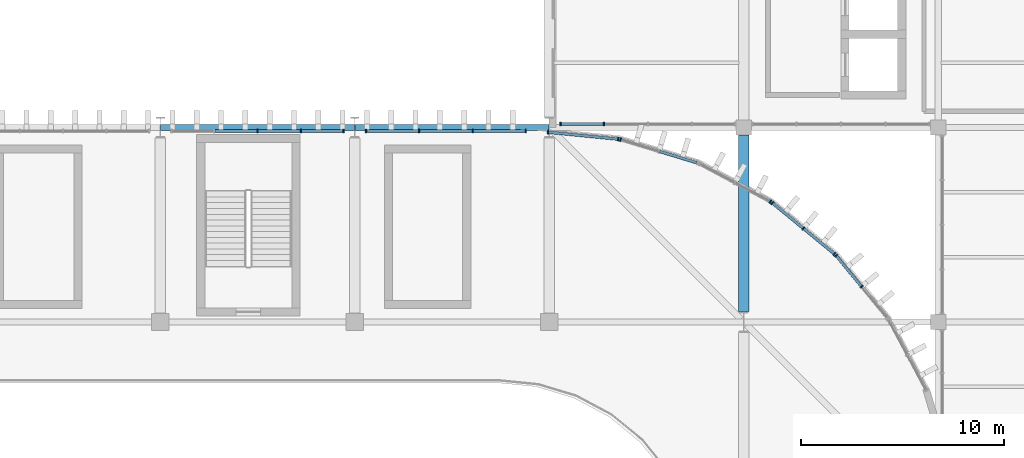
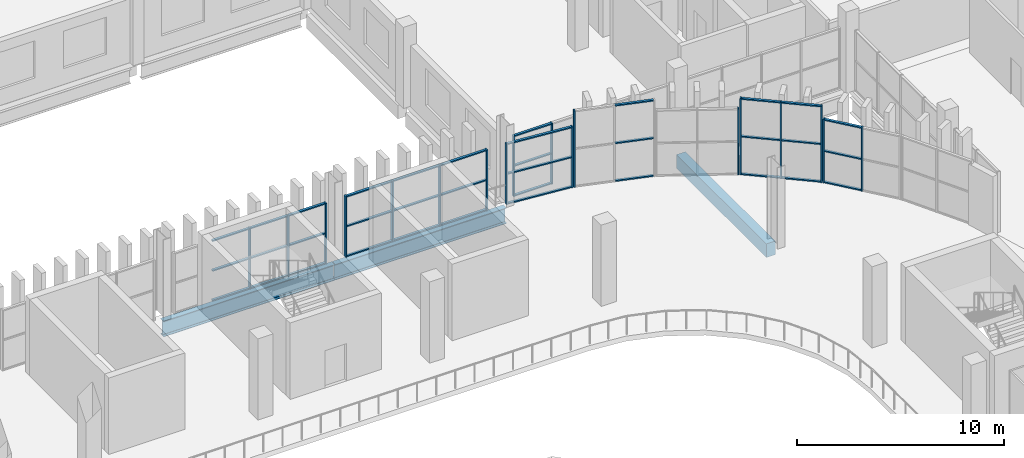
# One storey, part 44 of 99: 54 members, 3 beams, 8 elements without a shape of their own.
"""IFC4 building model written with IfcOpenShell, lengths in metres."""

from ifc_helpers import new_model, si_unit, direction, frame, origin, origin_2d, place, context, subcontext, project, spatial, rectangle, i_section, extrude, material, layer, layer_set, material_profile, profile_set, type_object, element, aggregate, save


model = new_model("IFC4")

# Units and contexts
model_context = context("Model", 3, precision=1e-05, world=origin(), true_north=direction((0.0, 1.0)))
body_context = subcontext(model_context, "Body", "Model", "MODEL_VIEW")
ifc_project = project(units=[si_unit("LENGTHUNIT", "METRE"), si_unit("AREAUNIT", "SQUARE_METRE"), si_unit("VOLUMEUNIT", "CUBIC_METRE"), si_unit("PLANEANGLEUNIT", "RADIAN"), si_unit("MASSUNIT", "GRAM", prefix="KILO")], contexts=[model_context])

# Site, building, storey
site_placement = place(None, origin())
site = spatial("IfcSite", under=ifc_project, at=site_placement, CompositionType="ELEMENT")
building_placement = place(site_placement, origin())
building = spatial("IfcBuilding", under=site, at=building_placement, Name="Caelomonte Colonnade Arena", CompositionType="ELEMENT")
storey_placement = place(building_placement, frame((0.0, 0.0, 4.800048828125)))
storey = spatial("IfcBuildingStorey", under=building, at=storey_placement, Name="L01", CompositionType="ELEMENT", Elevation=4.800048828125)

# Curtain wall, members
ifc_material_1 = material(Name="Bronze anodised aluminium and low-E glazing", Category="aluminium")
ifc_layer_1 = layer(ifc_material_1, 0.179931640625)
ifc_layer_set_1 = layer_set([ifc_layer_1], Name="Bronze anodised aluminium and low-E glazing")
curtain_wall_type_1 = type_object("IfcCurtainWallType", Name="ENV-CW-CW-L01-92-36", PredefinedType="USERDEFINED", material=ifc_layer_set_1)
curtain_wall_1_placement = place(storey_placement, origin())
curtain_wall_1 = element("IfcCurtainWall", 1, at=curtain_wall_1_placement, inside=storey, type_object=curtain_wall_type_1, Name="L01 unitized curtain wall CW-L01-1486-1154", ObjectType="UNITIZED CURTAIN WALL", PredefinedType="USERDEFINED")
ifc_material_2 = material(Name="Bronze anodised aluminium AA6063-T6", Category="aluminium")
ifc_material_profile_1 = material_profile(ifc_material_2, rectangle(XDim=0.070068359375, YDim=0.179931640625, at=origin_2d()), Name="CWM-70X180")
ifc_profile_set_1 = profile_set([ifc_material_profile_1], Name="Bronze anodised aluminium AA6063-T6")
member_type_1 = type_object("IfcMemberType", Name="ENV-CW-MULL1", PredefinedType="MULLION", material=ifc_profile_set_1)
member_1_placement = place(storey_placement, frame((144.560546875, 115.3798828125, 0.0), z_axis=(0.0, 0.0, 1.0), x_axis=(1.0, 0.0, 0.0)))
member_1 = element("IfcMember", 2, at=member_1_placement, type_object=member_type_1, Name="CW-L01-92-36 mullion 1", PredefinedType="MULLION", context=body_context, shape_type="SweptSolid", body=[
    extrude(rectangle(XDim=0.070068359375, YDim=0.179931640625, at=origin_2d()), origin(), (0.0, 0.0, 1.0), 3.593017578125),
])
member_2_placement = place(storey_placement, frame((146.6953125, 115.3798828125, 0.0), z_axis=(0.0, 0.0, 1.0), x_axis=(1.0, 0.0, 0.0)))
member_2 = element("IfcMember", 3, at=member_2_placement, type_object=member_type_1, Name="CW-L01-92-36 mullion 2", PredefinedType="MULLION", context=body_context, shape_type="SweptSolid", body=[
    extrude(rectangle(XDim=0.070068359375, YDim=0.179931640625, at=origin_2d()), origin(), (0.0, 0.0, 1.0), 3.593017578125),
])

ifc_layer_2 = layer(ifc_material_1, 0.179931640625)
ifc_layer_set_2 = layer_set([ifc_layer_2], Name="Bronze anodised aluminium and low-E glazing")
curtain_wall_type_2 = type_object("IfcCurtainWallType", Name="ENV-CW-CW-L01-44-38", PredefinedType="USERDEFINED", material=ifc_layer_set_2)
curtain_wall_2_placement = place(storey_placement, origin())
curtain_wall_2 = element("IfcCurtainWall", 4, at=curtain_wall_2_placement, inside=storey, type_object=curtain_wall_type_2, Name="L01 unitized curtain wall CW-L01-1594-1073", ObjectType="UNITIZED CURTAIN WALL", PredefinedType="USERDEFINED")
member_3_placement = place(storey_placement, frame((159.416015625, 107.343994140625, 0.0), z_axis=(0.0, 0.0, 1.0), x_axis=(-0.634416071163, 0.772991751994, 0.0)))
member_3 = element("IfcMember", 5, at=member_3_placement, type_object=member_type_1, Name="CW-L01-44-38 mullion 2", PredefinedType="MULLION", context=body_context, shape_type="SweptSolid", body=[
    extrude(rectangle(XDim=0.070068359375, YDim=0.179931640625, at=origin_2d()), origin(), (0.0, 0.0, 1.0), 3.758056640625),
])
member_4_placement = place(storey_placement, frame((158.15771484375, 108.876953125, 0.0), z_axis=(0.0, 0.0, 1.0), x_axis=(-0.634416071163, 0.772991751994, 0.0)))
member_4 = element("IfcMember", 6, at=member_4_placement, type_object=member_type_1, Name="CW-L01-44-38 mullion 3", PredefinedType="MULLION", context=body_context, shape_type="SweptSolid", body=[
    extrude(rectangle(XDim=0.070068359375, YDim=0.179931640625, at=origin_2d()), origin(), (0.0, 0.0, 1.0), 3.758056640625),
])

ifc_layer_3 = layer(ifc_material_1, 0.179931640625)
ifc_layer_set_3 = layer_set([ifc_layer_3], Name="Bronze anodised aluminium and low-E glazing")
curtain_wall_type_3 = type_object("IfcCurtainWallType", Name="ENV-CW-CW-L01-44-45", PredefinedType="USERDEFINED", material=ifc_layer_set_3)
curtain_wall_3_placement = place(storey_placement, origin())
curtain_wall_3 = element("IfcCurtainWall", 7, at=curtain_wall_3_placement, inside=storey, type_object=curtain_wall_type_3, Name="L01 unitized curtain wall CW-L01-1565-1102", ObjectType="UNITIZED CURTAIN WALL", PredefinedType="USERDEFINED")
member_5_placement = place(storey_placement, frame((158.0771484375, 108.95751953125, 0.0), z_axis=(0.0, 0.0, 1.0), x_axis=(-0.772991751994, 0.634416071163, 0.0)))
member_5 = element("IfcMember", 8, at=member_5_placement, type_object=member_type_1, Name="CW-L01-44-45 mullion 1", PredefinedType="MULLION", context=body_context, shape_type="SweptSolid", body=[
    extrude(rectangle(XDim=0.070068359375, YDim=0.179931640625, at=origin_2d()), origin(), (0.0, 0.0, 1.0), 4.52001953125),
])
member_6_placement = place(storey_placement, frame((156.5439453125, 110.2158203125, 0.0), z_axis=(0.0, 0.0, 1.0), x_axis=(-0.772991751994, 0.634416071163, 0.0)))
member_6 = element("IfcMember", 9, at=member_6_placement, type_object=member_type_1, Name="CW-L01-44-45 mullion 2", PredefinedType="MULLION", context=body_context, shape_type="SweptSolid", body=[
    extrude(rectangle(XDim=0.070068359375, YDim=0.179931640625, at=origin_2d()), origin(), (0.0, 0.0, 1.0), 4.52001953125),
])
member_7_placement = place(storey_placement, frame((155.0107421875, 111.47412109375, 0.0), z_axis=(0.0, 0.0, 1.0), x_axis=(-0.772991751994, 0.634416071163, 0.0)))
member_7 = element("IfcMember", 10, at=member_7_placement, type_object=member_type_1, Name="CW-L01-44-45 mullion 3", PredefinedType="MULLION", context=body_context, shape_type="SweptSolid", body=[
    extrude(rectangle(XDim=0.070068359375, YDim=0.179931640625, at=origin_2d()), origin(), (0.0, 0.0, 1.0), 4.52001953125),
])

# Curtain wall, member
ifc_layer_4 = layer(ifc_material_1, 0.179931640625)
ifc_layer_set_4 = layer_set([ifc_layer_4], Name="Bronze anodised aluminium and low-E glazing")
curtain_wall_type_4 = type_object("IfcCurtainWallType", Name="ENV-CW-CW-L01-44-39", PredefinedType="USERDEFINED", material=ifc_layer_set_4)
curtain_wall_4_placement = place(storey_placement, origin())
curtain_wall_4 = element("IfcCurtainWall", 11, at=curtain_wall_4_placement, inside=storey, type_object=curtain_wall_type_4, Name="L01 unitized curtain wall CW-L01-1532-1125", ObjectType="UNITIZED CURTAIN WALL", PredefinedType="USERDEFINED")
member_8_placement = place(storey_placement, frame((154.916015625, 111.53759765625, 0.0), z_axis=(0.0, 0.0, 1.0), x_axis=(-0.881922613642, 0.471394212466, 0.0)))
member_8 = element("IfcMember", 12, at=member_8_placement, type_object=member_type_1, Name="CW-L01-44-39 mullion 1", PredefinedType="MULLION", context=body_context, shape_type="SweptSolid", body=[
    extrude(rectangle(XDim=0.070068359375, YDim=0.179931640625, at=origin_2d()), origin(), (0.0, 0.0, 1.0), 3.912841796875),
])
aggregate(curtain_wall_4, [member_8])

curtain_wall_5_placement = place(storey_placement, origin())
curtain_wall_5 = element("IfcCurtainWall", 13, at=curtain_wall_5_placement, inside=storey, type_object=curtain_wall_type_3, Name="L01 unitized curtain wall CW-L01-1494-1140", ObjectType="UNITIZED CURTAIN WALL", PredefinedType="USERDEFINED")
member_9_placement = place(storey_placement, frame((147.516357421875, 114.6025390625, 0.0), z_axis=(0.0, 0.0, 1.0), x_axis=(-0.956949160999, 0.290255582655, 0.0)))
member_9 = element("IfcMember", 14, at=member_9_placement, type_object=member_type_1, Name="CW-L01-44-45 mullion 3", PredefinedType="MULLION", context=body_context, shape_type="SweptSolid", body=[
    extrude(rectangle(XDim=0.070068359375, YDim=0.179931640625, at=origin_2d()), origin(), (0.0, 0.0, 1.0), 4.52001953125),
])

# Curtain wall, members
ifc_layer_5 = layer(ifc_material_1, 0.179931640625)
ifc_layer_set_5 = layer_set([ifc_layer_5], Name="Bronze anodised aluminium and low-E glazing")
curtain_wall_type_5 = type_object("IfcCurtainWallType", Name="ENV-CW-CW-L01-42-36", PredefinedType="USERDEFINED", material=ifc_layer_set_5)
curtain_wall_6_placement = place(storey_placement, origin())
curtain_wall_6 = element("IfcCurtainWall", 15, at=curtain_wall_6_placement, inside=storey, type_object=curtain_wall_type_5, Name="L01 unitized curtain wall CW-L01-1455-1148", ObjectType="UNITIZED CURTAIN WALL", PredefinedType="USERDEFINED")
member_10_placement = place(storey_placement, frame((147.404541015625, 114.624755859375, 0.0), z_axis=(0.0, 0.0, 1.0), x_axis=(-0.995184134744, 0.098023150088, 0.0)))
member_10 = element("IfcMember", 16, at=member_10_placement, type_object=member_type_1, Name="CW-L01-42-36 mullion 1", PredefinedType="MULLION", context=body_context, shape_type="SweptSolid", body=[
    extrude(rectangle(XDim=0.070068359375, YDim=0.179931640625, at=origin_2d()), origin(), (0.0, 0.0, 1.0), 3.593017578125),
])
member_11_placement = place(storey_placement, frame((143.940185546875, 114.966064453125, 0.0), z_axis=(0.0, 0.0, 1.0), x_axis=(-0.995184134744, 0.098023150088, 0.0)))
member_11 = element("IfcMember", 17, at=member_11_placement, type_object=member_type_1, Name="CW-L01-42-36 mullion 2", PredefinedType="MULLION", context=body_context, shape_type="SweptSolid", body=[
    extrude(rectangle(XDim=0.070068359375, YDim=0.179931640625, at=origin_2d()), origin(), (0.0, 0.0, 1.0), 3.593017578125),
])

ifc_layer_6 = layer(ifc_material_1, 0.179931640625)
ifc_layer_set_6 = layer_set([ifc_layer_6], Name="Bronze anodised aluminium and low-E glazing")
curtain_wall_type_6 = type_object("IfcCurtainWallType", Name="ENV-CW-CW-L01-90-36", PredefinedType="USERDEFINED", material=ifc_layer_set_6)
curtain_wall_7_placement = place(storey_placement, origin())
curtain_wall_7 = element("IfcCurtainWall", 18, at=curtain_wall_7_placement, inside=storey, type_object=curtain_wall_type_6, Name="L01 unitized curtain wall CW-L01-1389-1150", ObjectType="UNITIZED CURTAIN WALL", PredefinedType="USERDEFINED")
member_12_placement = place(storey_placement, frame((142.839599609375, 115.02001953125, 0.0), z_axis=(0.0, 0.0, 1.0), x_axis=(-1.0, 0.0, 0.0)))
member_12 = element("IfcMember", 19, at=member_12_placement, type_object=member_type_1, Name="CW-L01-90-36 mullion 1", PredefinedType="MULLION", context=body_context, shape_type="SweptSolid", body=[
    extrude(rectangle(XDim=0.070068359375, YDim=0.179931640625, at=origin_2d()), origin(), (0.0, 0.0, 1.0), 3.593017578125),
])
member_13_placement = place(storey_placement, frame((140.224853515625, 115.02001953125, 0.0), z_axis=(0.0, 0.0, 1.0), x_axis=(-1.0, 0.0, 0.0)))
member_13 = element("IfcMember", 20, at=member_13_placement, type_object=member_type_1, Name="CW-L01-90-36 mullion 2", PredefinedType="MULLION", context=body_context, shape_type="SweptSolid", body=[
    extrude(rectangle(XDim=0.070068359375, YDim=0.179931640625, at=origin_2d()), origin(), (0.0, 0.0, 1.0), 3.593017578125),
])
member_14_placement = place(storey_placement, frame((137.5751953125, 115.02001953125, 0.0), z_axis=(0.0, 0.0, 1.0), x_axis=(-1.0, 0.0, 0.0)))
member_14 = element("IfcMember", 21, at=member_14_placement, type_object=member_type_1, Name="CW-L01-90-36 mullion 3", PredefinedType="MULLION", context=body_context, shape_type="SweptSolid", body=[
    extrude(rectangle(XDim=0.070068359375, YDim=0.179931640625, at=origin_2d()), origin(), (0.0, 0.0, 1.0), 3.593017578125),
])
member_15_placement = place(storey_placement, frame((134.96044921875, 115.02001953125, 0.0), z_axis=(0.0, 0.0, 1.0), x_axis=(-1.0, 0.0, 0.0)))
member_15 = element("IfcMember", 22, at=member_15_placement, type_object=member_type_1, Name="CW-L01-90-36 mullion 4", PredefinedType="MULLION", context=body_context, shape_type="SweptSolid", body=[
    extrude(rectangle(XDim=0.070068359375, YDim=0.179931640625, at=origin_2d()), origin(), (0.0, 0.0, 1.0), 3.593017578125),
])

ifc_layer_7 = layer(ifc_material_1, 0.179931640625)
ifc_layer_set_7 = layer_set([ifc_layer_7], Name="Bronze anodised aluminium and low-E glazing")
curtain_wall_type_7 = type_object("IfcCurtainWallType", Name="ENV-CW-CW-L01-96-36", PredefinedType="USERDEFINED", material=ifc_layer_set_7)
curtain_wall_8_placement = place(storey_placement, origin())
curtain_wall_8 = element("IfcCurtainWall", 23, at=curtain_wall_8_placement, inside=storey, type_object=curtain_wall_type_7, Name="L01 unitized curtain wall CW-L01-1296-1150", ObjectType="UNITIZED CURTAIN WALL", PredefinedType="USERDEFINED")
member_16_placement = place(storey_placement, frame((133.839599609375, 115.02001953125, 0.0), z_axis=(0.0, 0.0, 1.0), x_axis=(-1.0, 0.0, 0.0)))
member_16 = element("IfcMember", 24, at=member_16_placement, type_object=member_type_1, Name="CW-L01-96-36 mullion 1", PredefinedType="MULLION", context=body_context, shape_type="SweptSolid", body=[
    extrude(rectangle(XDim=0.070068359375, YDim=0.179931640625, at=origin_2d()), origin(), (0.0, 0.0, 1.0), 3.593017578125),
])
member_17_placement = place(storey_placement, frame((131.7373046875, 115.02001953125, 0.0), z_axis=(0.0, 0.0, 1.0), x_axis=(-1.0, 0.0, 0.0)))
member_17 = element("IfcMember", 25, at=member_17_placement, type_object=member_type_1, Name="CW-L01-96-36 mullion 2", PredefinedType="MULLION", context=body_context, shape_type="SweptSolid", body=[
    extrude(rectangle(XDim=0.070068359375, YDim=0.179931640625, at=origin_2d()), origin(), (0.0, 0.0, 1.0), 3.593017578125),
])
member_18_placement = place(storey_placement, frame((129.60009765625, 115.02001953125, 0.0), z_axis=(0.0, 0.0, 1.0), x_axis=(-1.0, 0.0, 0.0)))
member_18 = element("IfcMember", 26, at=member_18_placement, type_object=member_type_1, Name="CW-L01-96-36 mullion 3", PredefinedType="MULLION", context=body_context, shape_type="SweptSolid", body=[
    extrude(rectangle(XDim=0.070068359375, YDim=0.179931640625, at=origin_2d()), origin(), (0.0, 0.0, 1.0), 3.593017578125),
])

# Member
ifc_material_profile_2 = material_profile(ifc_material_2, rectangle(XDim=0.070068359375, YDim=0.139892578125, at=origin_2d()), Name="CWT-70X140")
ifc_profile_set_2 = profile_set([ifc_material_profile_2], Name="Bronze anodised aluminium AA6063-T6")
member_type_2 = type_object("IfcMemberType", Name="ENV-CW-TRAN1", PredefinedType="USERDEFINED", material=ifc_profile_set_2)
member_19_placement = place(storey_placement, frame((144.595458984375, 115.3798828125, 0.034912109375), z_axis=(1.0, 0.0, 0.0), x_axis=(0.0, 0.0, 1.0)))
member_19 = element("IfcMember", 27, at=member_19_placement, type_object=member_type_2, Name="CW-L01-92-36 transom 1.1", ObjectType="TRANSOM", PredefinedType="USERDEFINED", context=body_context, shape_type="SweptSolid", body=[
    extrude(rectangle(XDim=0.070068359375, YDim=0.139892578125, at=origin_2d()), origin(), (0.0, 0.0, 1.0), 2.06494140625),
])

member_20_placement = place(storey_placement, frame((144.595458984375, 115.3798828125, 1.79638671875), z_axis=(1.0, 0.0, 0.0), x_axis=(0.0, 0.0, 1.0)))
member_20 = element("IfcMember", 28, at=member_20_placement, type_object=member_type_2, Name="CW-L01-92-36 transom 1.2", ObjectType="TRANSOM", PredefinedType="USERDEFINED", context=body_context, shape_type="SweptSolid", body=[
    extrude(rectangle(XDim=0.070068359375, YDim=0.139892578125, at=origin_2d()), origin(), (0.0, 0.0, 1.0), 2.06494140625),
])

member_21_placement = place(storey_placement, frame((144.595458984375, 115.3798828125, 3.557861328125), z_axis=(1.0, 0.0, 0.0), x_axis=(0.0, 0.0, 1.0)))
member_21 = element("IfcMember", 29, at=member_21_placement, type_object=member_type_2, Name="CW-L01-92-36 transom 1.3", ObjectType="TRANSOM", PredefinedType="USERDEFINED", context=body_context, shape_type="SweptSolid", body=[
    extrude(rectangle(XDim=0.070068359375, YDim=0.139892578125, at=origin_2d()), origin(), (0.0, 0.0, 1.0), 2.06494140625),
])

aggregate(curtain_wall_1, [member_1, member_2, member_19, member_20, member_21])

member_22_placement = place(storey_placement, frame((159.393798828125, 107.370849609375, 0.034912109375), z_axis=(-0.634431948726, 0.772978720558, 0.0), x_axis=(0.0, 0.0, 1.0)))
member_22 = element("IfcMember", 30, at=member_22_placement, type_object=member_type_2, Name="CW-L01-44-38 transom 2.1", ObjectType="TRANSOM", PredefinedType="USERDEFINED", context=body_context, shape_type="SweptSolid", body=[
    extrude(rectangle(XDim=0.070068359375, YDim=0.139892578125, at=origin_2d()), origin(), (0.0, 0.0, 1.0), 1.913818359375),
])

member_23_placement = place(storey_placement, frame((159.393798828125, 107.370849609375, 1.87890625), z_axis=(-0.634431948726, 0.772978720558, 0.0), x_axis=(0.0, 0.0, 1.0)))
member_23 = element("IfcMember", 31, at=member_23_placement, type_object=member_type_2, Name="CW-L01-44-38 transom 2.2", ObjectType="TRANSOM", PredefinedType="USERDEFINED", context=body_context, shape_type="SweptSolid", body=[
    extrude(rectangle(XDim=0.070068359375, YDim=0.139892578125, at=origin_2d()), origin(), (0.0, 0.0, 1.0), 1.913818359375),
])

member_24_placement = place(storey_placement, frame((159.393798828125, 107.370849609375, 3.722900390625), z_axis=(-0.634431948726, 0.772978720558, 0.0), x_axis=(0.0, 0.0, 1.0)))
member_24 = element("IfcMember", 32, at=member_24_placement, type_object=member_type_2, Name="CW-L01-44-38 transom 2.3", ObjectType="TRANSOM", PredefinedType="USERDEFINED", context=body_context, shape_type="SweptSolid", body=[
    extrude(rectangle(XDim=0.070068359375, YDim=0.139892578125, at=origin_2d()), origin(), (0.0, 0.0, 1.0), 1.913818359375),
])

aggregate(curtain_wall_2, [member_3, member_4, member_22, member_23, member_24])

member_25_placement = place(storey_placement, frame((158.050048828125, 108.979736328125, 0.034912109375), z_axis=(-0.772989936128, 0.634418283662, 0.0), x_axis=(0.0, 0.0, 1.0)))
member_25 = element("IfcMember", 33, at=member_25_placement, type_object=member_type_2, Name="CW-L01-44-45 transom 1.1", ObjectType="TRANSOM", PredefinedType="USERDEFINED", context=body_context, shape_type="SweptSolid", body=[
    extrude(rectangle(XDim=0.070068359375, YDim=0.139892578125, at=origin_2d()), origin(), (0.0, 0.0, 1.0), 1.913330078125),
])

member_26_placement = place(storey_placement, frame((158.050048828125, 108.979736328125, 2.260009765625), z_axis=(-0.772989936128, 0.634418283662, 0.0), x_axis=(0.0, 0.0, 1.0)))
member_26 = element("IfcMember", 34, at=member_26_placement, type_object=member_type_2, Name="CW-L01-44-45 transom 1.2", ObjectType="TRANSOM", PredefinedType="USERDEFINED", context=body_context, shape_type="SweptSolid", body=[
    extrude(rectangle(XDim=0.070068359375, YDim=0.139892578125, at=origin_2d()), origin(), (0.0, 0.0, 1.0), 1.913330078125),
])

member_27_placement = place(storey_placement, frame((158.050048828125, 108.979736328125, 4.48486328125), z_axis=(-0.772989936128, 0.634418283662, 0.0), x_axis=(0.0, 0.0, 1.0)))
member_27 = element("IfcMember", 35, at=member_27_placement, type_object=member_type_2, Name="CW-L01-44-45 transom 1.3", ObjectType="TRANSOM", PredefinedType="USERDEFINED", context=body_context, shape_type="SweptSolid", body=[
    extrude(rectangle(XDim=0.070068359375, YDim=0.139892578125, at=origin_2d()), origin(), (0.0, 0.0, 1.0), 1.913330078125),
])

member_28_placement = place(storey_placement, frame((156.516845703125, 110.238037109375, 0.034912109375), z_axis=(-0.772989936128, 0.634418283662, 0.0), x_axis=(0.0, 0.0, 1.0)))
member_28 = element("IfcMember", 36, at=member_28_placement, type_object=member_type_2, Name="CW-L01-44-45 transom 2.1", ObjectType="TRANSOM", PredefinedType="USERDEFINED", context=body_context, shape_type="SweptSolid", body=[
    extrude(rectangle(XDim=0.070068359375, YDim=0.139892578125, at=origin_2d()), origin(), (0.0, 0.0, 1.0), 1.913330078125),
])

member_29_placement = place(storey_placement, frame((156.516845703125, 110.238037109375, 2.260009765625), z_axis=(-0.772989936128, 0.634418283662, 0.0), x_axis=(0.0, 0.0, 1.0)))
member_29 = element("IfcMember", 37, at=member_29_placement, type_object=member_type_2, Name="CW-L01-44-45 transom 2.2", ObjectType="TRANSOM", PredefinedType="USERDEFINED", context=body_context, shape_type="SweptSolid", body=[
    extrude(rectangle(XDim=0.070068359375, YDim=0.139892578125, at=origin_2d()), origin(), (0.0, 0.0, 1.0), 1.913330078125),
])

member_30_placement = place(storey_placement, frame((156.516845703125, 110.238037109375, 4.48486328125), z_axis=(-0.772989936128, 0.634418283662, 0.0), x_axis=(0.0, 0.0, 1.0)))
member_30 = element("IfcMember", 38, at=member_30_placement, type_object=member_type_2, Name="CW-L01-44-45 transom 2.3", ObjectType="TRANSOM", PredefinedType="USERDEFINED", context=body_context, shape_type="SweptSolid", body=[
    extrude(rectangle(XDim=0.070068359375, YDim=0.139892578125, at=origin_2d()), origin(), (0.0, 0.0, 1.0), 1.913330078125),
])

aggregate(curtain_wall_3, [member_5, member_6, member_7, member_25, member_26, member_27, member_28, member_29, member_30])

member_31_placement = place(storey_placement, frame((151.27880859375, 113.461181640625, 0.034912109375), z_axis=(-0.956933131783, 0.290308424431, 0.0), x_axis=(0.0, 0.0, 1.0)))
member_31 = element("IfcMember", 39, at=member_31_placement, type_object=member_type_2, Name="CW-L01-44-45 transom 1.1", ObjectType="TRANSOM", PredefinedType="USERDEFINED", context=body_context, shape_type="SweptSolid", body=[
    extrude(rectangle(XDim=0.070068359375, YDim=0.139892578125, at=origin_2d()), origin(), (0.0, 0.0, 1.0), 1.9130859375),
])

member_32_placement = place(storey_placement, frame((151.27880859375, 113.461181640625, 2.260009765625), z_axis=(-0.956933131783, 0.290308424431, 0.0), x_axis=(0.0, 0.0, 1.0)))
member_32 = element("IfcMember", 40, at=member_32_placement, type_object=member_type_2, Name="CW-L01-44-45 transom 1.2", ObjectType="TRANSOM", PredefinedType="USERDEFINED", context=body_context, shape_type="SweptSolid", body=[
    extrude(rectangle(XDim=0.070068359375, YDim=0.139892578125, at=origin_2d()), origin(), (0.0, 0.0, 1.0), 1.9130859375),
])

member_33_placement = place(storey_placement, frame((151.27880859375, 113.461181640625, 4.48486328125), z_axis=(-0.956933131783, 0.290308424431, 0.0), x_axis=(0.0, 0.0, 1.0)))
member_33 = element("IfcMember", 41, at=member_33_placement, type_object=member_type_2, Name="CW-L01-44-45 transom 1.3", ObjectType="TRANSOM", PredefinedType="USERDEFINED", context=body_context, shape_type="SweptSolid", body=[
    extrude(rectangle(XDim=0.070068359375, YDim=0.139892578125, at=origin_2d()), origin(), (0.0, 0.0, 1.0), 1.9130859375),
])

aggregate(curtain_wall_5, [member_9, member_31, member_32, member_33])

member_34_placement = place(storey_placement, frame((147.36962890625, 114.628173828125, 0.034912109375), z_axis=(-0.995181395759, 0.098050953771, 0.0), x_axis=(0.0, 0.0, 1.0)))
member_34 = element("IfcMember", 42, at=member_34_placement, type_object=member_type_2, Name="CW-L01-42-36 transom 1.1", ObjectType="TRANSOM", PredefinedType="USERDEFINED", context=body_context, shape_type="SweptSolid", body=[
    extrude(rectangle(XDim=0.070068359375, YDim=0.139892578125, at=origin_2d()), origin(), (0.0, 0.0, 1.0), 3.4111328125),
])

member_35_placement = place(storey_placement, frame((147.36962890625, 114.628173828125, 1.79638671875), z_axis=(-0.995181395759, 0.098050953771, 0.0), x_axis=(0.0, 0.0, 1.0)))
member_35 = element("IfcMember", 43, at=member_35_placement, type_object=member_type_2, Name="CW-L01-42-36 transom 1.2", ObjectType="TRANSOM", PredefinedType="USERDEFINED", context=body_context, shape_type="SweptSolid", body=[
    extrude(rectangle(XDim=0.070068359375, YDim=0.139892578125, at=origin_2d()), origin(), (0.0, 0.0, 1.0), 3.4111328125),
])

member_36_placement = place(storey_placement, frame((147.36962890625, 114.628173828125, 3.557861328125), z_axis=(-0.995181395759, 0.098050953771, 0.0), x_axis=(0.0, 0.0, 1.0)))
member_36 = element("IfcMember", 44, at=member_36_placement, type_object=member_type_2, Name="CW-L01-42-36 transom 1.3", ObjectType="TRANSOM", PredefinedType="USERDEFINED", context=body_context, shape_type="SweptSolid", body=[
    extrude(rectangle(XDim=0.070068359375, YDim=0.139892578125, at=origin_2d()), origin(), (0.0, 0.0, 1.0), 3.4111328125),
])

aggregate(curtain_wall_6, [member_10, member_11, member_34, member_35, member_36])

member_37_placement = place(storey_placement, frame((142.804443359375, 115.02001953125, 0.034912109375), z_axis=(-1.0, 0.0, 0.0), x_axis=(0.0, 0.0, 1.0)))
member_37 = element("IfcMember", 45, at=member_37_placement, type_object=member_type_2, Name="CW-L01-90-36 transom 1.1", ObjectType="TRANSOM", PredefinedType="USERDEFINED", context=body_context, shape_type="SweptSolid", body=[
    extrude(rectangle(XDim=0.070068359375, YDim=0.139892578125, at=origin_2d()), origin(), (0.0, 0.0, 1.0), 2.544677734375),
])

member_38_placement = place(storey_placement, frame((142.804443359375, 115.02001953125, 1.79638671875), z_axis=(-1.0, 0.0, 0.0), x_axis=(0.0, 0.0, 1.0)))
member_38 = element("IfcMember", 46, at=member_38_placement, type_object=member_type_2, Name="CW-L01-90-36 transom 1.2", ObjectType="TRANSOM", PredefinedType="USERDEFINED", context=body_context, shape_type="SweptSolid", body=[
    extrude(rectangle(XDim=0.070068359375, YDim=0.139892578125, at=origin_2d()), origin(), (0.0, 0.0, 1.0), 2.544677734375),
])

member_39_placement = place(storey_placement, frame((142.804443359375, 115.02001953125, 3.557861328125), z_axis=(-1.0, 0.0, 0.0), x_axis=(0.0, 0.0, 1.0)))
member_39 = element("IfcMember", 47, at=member_39_placement, type_object=member_type_2, Name="CW-L01-90-36 transom 1.3", ObjectType="TRANSOM", PredefinedType="USERDEFINED", context=body_context, shape_type="SweptSolid", body=[
    extrude(rectangle(XDim=0.070068359375, YDim=0.139892578125, at=origin_2d()), origin(), (0.0, 0.0, 1.0), 2.544677734375),
])

member_40_placement = place(storey_placement, frame((140.18994140625, 115.02001953125, 0.034912109375), z_axis=(-1.0, 0.0, 0.0), x_axis=(0.0, 0.0, 1.0)))
member_40 = element("IfcMember", 48, at=member_40_placement, type_object=member_type_2, Name="CW-L01-90-36 transom 2.1", ObjectType="TRANSOM", PredefinedType="USERDEFINED", context=body_context, shape_type="SweptSolid", body=[
    extrude(rectangle(XDim=0.070068359375, YDim=0.139892578125, at=origin_2d()), origin(), (0.0, 0.0, 1.0), 2.579833984375),
])

member_41_placement = place(storey_placement, frame((140.18994140625, 115.02001953125, 1.79638671875), z_axis=(-1.0, 0.0, 0.0), x_axis=(0.0, 0.0, 1.0)))
member_41 = element("IfcMember", 49, at=member_41_placement, type_object=member_type_2, Name="CW-L01-90-36 transom 2.2", ObjectType="TRANSOM", PredefinedType="USERDEFINED", context=body_context, shape_type="SweptSolid", body=[
    extrude(rectangle(XDim=0.070068359375, YDim=0.139892578125, at=origin_2d()), origin(), (0.0, 0.0, 1.0), 2.579833984375),
])

member_42_placement = place(storey_placement, frame((140.18994140625, 115.02001953125, 3.557861328125), z_axis=(-1.0, 0.0, 0.0), x_axis=(0.0, 0.0, 1.0)))
member_42 = element("IfcMember", 50, at=member_42_placement, type_object=member_type_2, Name="CW-L01-90-36 transom 2.3", ObjectType="TRANSOM", PredefinedType="USERDEFINED", context=body_context, shape_type="SweptSolid", body=[
    extrude(rectangle(XDim=0.070068359375, YDim=0.139892578125, at=origin_2d()), origin(), (0.0, 0.0, 1.0), 2.579833984375),
])

member_43_placement = place(storey_placement, frame((137.540283203125, 115.02001953125, 0.034912109375), z_axis=(-1.0, 0.0, 0.0), x_axis=(0.0, 0.0, 1.0)))
member_43 = element("IfcMember", 51, at=member_43_placement, type_object=member_type_2, Name="CW-L01-90-36 transom 3.1", ObjectType="TRANSOM", PredefinedType="USERDEFINED", context=body_context, shape_type="SweptSolid", body=[
    extrude(rectangle(XDim=0.070068359375, YDim=0.139892578125, at=origin_2d()), origin(), (0.0, 0.0, 1.0), 2.544677734375),
])

member_44_placement = place(storey_placement, frame((137.540283203125, 115.02001953125, 1.79638671875), z_axis=(-1.0, 0.0, 0.0), x_axis=(0.0, 0.0, 1.0)))
member_44 = element("IfcMember", 52, at=member_44_placement, type_object=member_type_2, Name="CW-L01-90-36 transom 3.2", ObjectType="TRANSOM", PredefinedType="USERDEFINED", context=body_context, shape_type="SweptSolid", body=[
    extrude(rectangle(XDim=0.070068359375, YDim=0.139892578125, at=origin_2d()), origin(), (0.0, 0.0, 1.0), 2.544677734375),
])

member_45_placement = place(storey_placement, frame((137.540283203125, 115.02001953125, 3.557861328125), z_axis=(-1.0, 0.0, 0.0), x_axis=(0.0, 0.0, 1.0)))
member_45 = element("IfcMember", 53, at=member_45_placement, type_object=member_type_2, Name="CW-L01-90-36 transom 3.3", ObjectType="TRANSOM", PredefinedType="USERDEFINED", context=body_context, shape_type="SweptSolid", body=[
    extrude(rectangle(XDim=0.070068359375, YDim=0.139892578125, at=origin_2d()), origin(), (0.0, 0.0, 1.0), 2.544677734375),
])

aggregate(curtain_wall_7, [member_12, member_13, member_14, member_15, member_37, member_38, member_39, member_40, member_41, member_42, member_43, member_44, member_45])

member_46_placement = place(storey_placement, frame((133.804443359375, 115.02001953125, 0.034912109375), z_axis=(-1.0, 0.0, 0.0), x_axis=(0.0, 0.0, 1.0)))
member_46 = element("IfcMember", 54, at=member_46_placement, type_object=member_type_2, Name="CW-L01-96-36 transom 1.1", ObjectType="TRANSOM", PredefinedType="USERDEFINED", context=body_context, shape_type="SweptSolid", body=[
    extrude(rectangle(XDim=0.070068359375, YDim=0.139892578125, at=origin_2d()), origin(), (0.0, 0.0, 1.0), 2.0322265625),
])

member_47_placement = place(storey_placement, frame((133.804443359375, 115.02001953125, 1.79638671875), z_axis=(-1.0, 0.0, 0.0), x_axis=(0.0, 0.0, 1.0)))
member_47 = element("IfcMember", 55, at=member_47_placement, type_object=member_type_2, Name="CW-L01-96-36 transom 1.2", ObjectType="TRANSOM", PredefinedType="USERDEFINED", context=body_context, shape_type="SweptSolid", body=[
    extrude(rectangle(XDim=0.070068359375, YDim=0.139892578125, at=origin_2d()), origin(), (0.0, 0.0, 1.0), 2.0322265625),
])

member_48_placement = place(storey_placement, frame((133.804443359375, 115.02001953125, 3.557861328125), z_axis=(-1.0, 0.0, 0.0), x_axis=(0.0, 0.0, 1.0)))
member_48 = element("IfcMember", 56, at=member_48_placement, type_object=member_type_2, Name="CW-L01-96-36 transom 1.3", ObjectType="TRANSOM", PredefinedType="USERDEFINED", context=body_context, shape_type="SweptSolid", body=[
    extrude(rectangle(XDim=0.070068359375, YDim=0.139892578125, at=origin_2d()), origin(), (0.0, 0.0, 1.0), 2.0322265625),
])

member_49_placement = place(storey_placement, frame((131.7021484375, 115.02001953125, 0.034912109375), z_axis=(-1.0, 0.0, 0.0), x_axis=(0.0, 0.0, 1.0)))
member_49 = element("IfcMember", 57, at=member_49_placement, type_object=member_type_2, Name="CW-L01-96-36 transom 2.1", ObjectType="TRANSOM", PredefinedType="USERDEFINED", context=body_context, shape_type="SweptSolid", body=[
    extrude(rectangle(XDim=0.070068359375, YDim=0.139892578125, at=origin_2d()), origin(), (0.0, 0.0, 1.0), 2.067138671875),
])

member_50_placement = place(storey_placement, frame((131.7021484375, 115.02001953125, 1.79638671875), z_axis=(-1.0, 0.0, 0.0), x_axis=(0.0, 0.0, 1.0)))
member_50 = element("IfcMember", 58, at=member_50_placement, type_object=member_type_2, Name="CW-L01-96-36 transom 2.2", ObjectType="TRANSOM", PredefinedType="USERDEFINED", context=body_context, shape_type="SweptSolid", body=[
    extrude(rectangle(XDim=0.070068359375, YDim=0.139892578125, at=origin_2d()), origin(), (0.0, 0.0, 1.0), 2.067138671875),
])

member_51_placement = place(storey_placement, frame((131.7021484375, 115.02001953125, 3.557861328125), z_axis=(-1.0, 0.0, 0.0), x_axis=(0.0, 0.0, 1.0)))
member_51 = element("IfcMember", 59, at=member_51_placement, type_object=member_type_2, Name="CW-L01-96-36 transom 2.3", ObjectType="TRANSOM", PredefinedType="USERDEFINED", context=body_context, shape_type="SweptSolid", body=[
    extrude(rectangle(XDim=0.070068359375, YDim=0.139892578125, at=origin_2d()), origin(), (0.0, 0.0, 1.0), 2.067138671875),
])

member_52_placement = place(storey_placement, frame((129.56494140625, 115.02001953125, 0.034912109375), z_axis=(-1.0, 0.0, 0.0), x_axis=(0.0, 0.0, 1.0)))
member_52 = element("IfcMember", 60, at=member_52_placement, type_object=member_type_2, Name="CW-L01-96-36 transom 3.1", ObjectType="TRANSOM", PredefinedType="USERDEFINED", context=body_context, shape_type="SweptSolid", body=[
    extrude(rectangle(XDim=0.070068359375, YDim=0.139892578125, at=origin_2d()), origin(), (0.0, 0.0, 1.0), 2.067138671875),
])

member_53_placement = place(storey_placement, frame((129.56494140625, 115.02001953125, 1.79638671875), z_axis=(-1.0, 0.0, 0.0), x_axis=(0.0, 0.0, 1.0)))
member_53 = element("IfcMember", 61, at=member_53_placement, type_object=member_type_2, Name="CW-L01-96-36 transom 3.2", ObjectType="TRANSOM", PredefinedType="USERDEFINED", context=body_context, shape_type="SweptSolid", body=[
    extrude(rectangle(XDim=0.070068359375, YDim=0.139892578125, at=origin_2d()), origin(), (0.0, 0.0, 1.0), 2.067138671875),
])

member_54_placement = place(storey_placement, frame((129.56494140625, 115.02001953125, 3.557861328125), z_axis=(-1.0, 0.0, 0.0), x_axis=(0.0, 0.0, 1.0)))
member_54 = element("IfcMember", 62, at=member_54_placement, type_object=member_type_2, Name="CW-L01-96-36 transom 3.3", ObjectType="TRANSOM", PredefinedType="USERDEFINED", context=body_context, shape_type="SweptSolid", body=[
    extrude(rectangle(XDim=0.070068359375, YDim=0.139892578125, at=origin_2d()), origin(), (0.0, 0.0, 1.0), 2.067138671875),
])

aggregate(curtain_wall_8, [member_16, member_17, member_18, member_46, member_47, member_48, member_49, member_50, member_51, member_52, member_53, member_54])

# Beams
ifc_material_3 = material(Name="Wide-flange steel ASTM A992 Grade 50", Category="steel")
ifc_material_profile_3 = material_profile(ifc_material_3, i_section(OverallWidth=0.307861328125, OverallDepth=0.927001953125, WebThickness=0.019287109375, FlangeThickness=0.031982421875, FilletRadius=0.020263671875, at=origin_2d()), Name="W36X194")
ifc_profile_set_3 = profile_set([ifc_material_profile_3], Name="Wide-flange steel ASTM A992 Grade 50")
beam_type_1 = type_object("IfcBeamType", Name="STR-BM-EAVES2", PredefinedType="SPANDREL", material=ifc_profile_set_3)
for number, where, z_axis, x_axis, name in (
    (63, (124.8154296875, 115.199951171875, -0.763427734375), (1.0, 0.0, 0.0), (0.0, 1.0, 0.0), "L01 girder BMX-L01-1248-1152"),
    (64, (134.41552734375, 115.199951171875, -0.763427734375), (1.0, 0.0, 0.0), (0.0, 1.0, 0.0), "L01 girder BMX-L01-1344-1152"),
):
    element("IfcBeam", number, at=place(storey_placement, frame(where, z_axis=z_axis, x_axis=x_axis)), inside=storey, type_object=beam_type_1, Name=name, PredefinedType="SPANDREL", context=body_context, shape_type="SweptSolid", body=[
        extrude(i_section(OverallWidth=0.307861328125, OverallDepth=0.927001953125, WebThickness=0.019287109375, FlangeThickness=0.031982421875, FilletRadius=0.020263671875, at=origin_2d()), origin(), (0.0, 0.0, 1.0), 9.569091796875),
    ])
ifc_material_4 = material(Name="Concrete C40/50", Category="concrete")
ifc_material_profile_4 = material_profile(ifc_material_4, rectangle(XDim=0.5, YDim=0.800048828125, at=origin_2d()), Name="RC500X800")
ifc_profile_set_4 = profile_set([ifc_material_profile_4], Name="Concrete C40/50")
beam_type_2 = type_object("IfcBeamType", Name="STR-BM-RC50", PredefinedType="BEAM", material=ifc_profile_set_4)
beam_placement = place(storey_placement, frame((153.60009765625, 106.11279296875, -0.699951171875), z_axis=(0.0, 1.0, 0.0), x_axis=(-1.0, 0.0, 0.0)))
element("IfcBeam", 65, at=beam_placement, inside=storey, type_object=beam_type_2, Name="L01 girder BMY-L01-1536-1056", PredefinedType="BEAM", context=body_context, shape_type="SweptSolid", body=[
    extrude(rectangle(XDim=0.5, YDim=0.800048828125, at=origin_2d()), origin(), (0.0, 0.0, 1.0), 8.72021484375),
])

save(model, "model.ifc")
